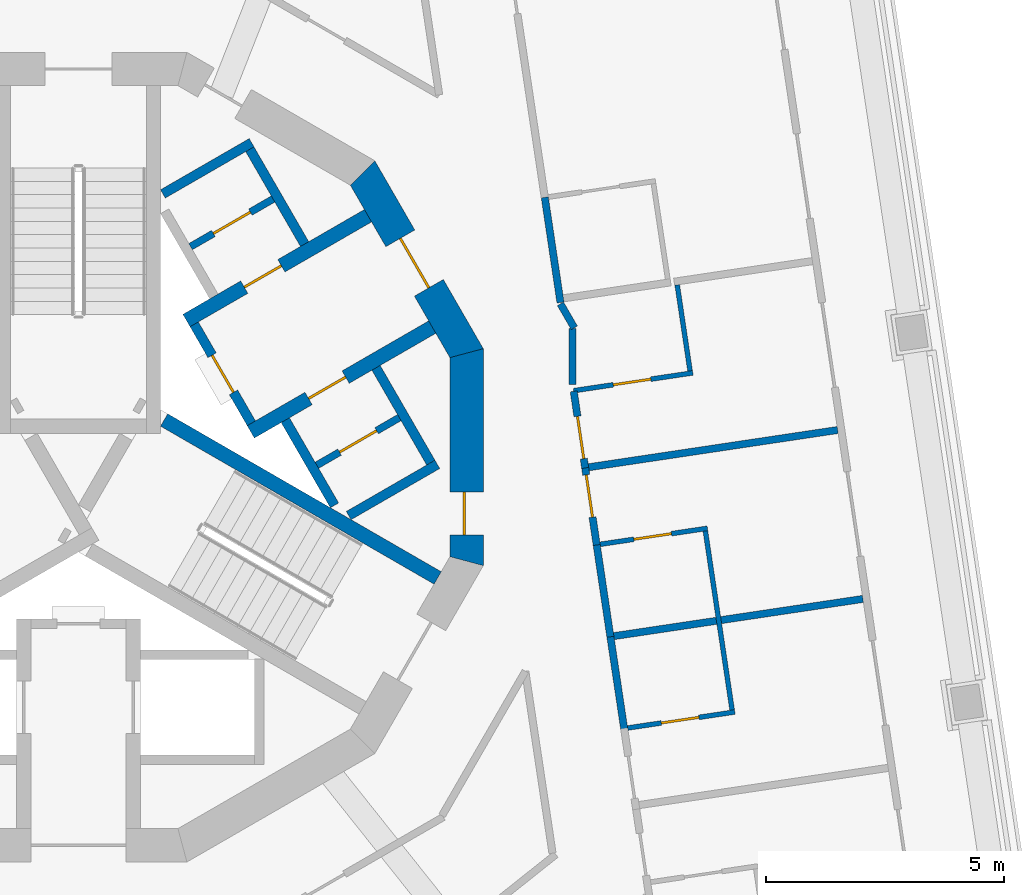
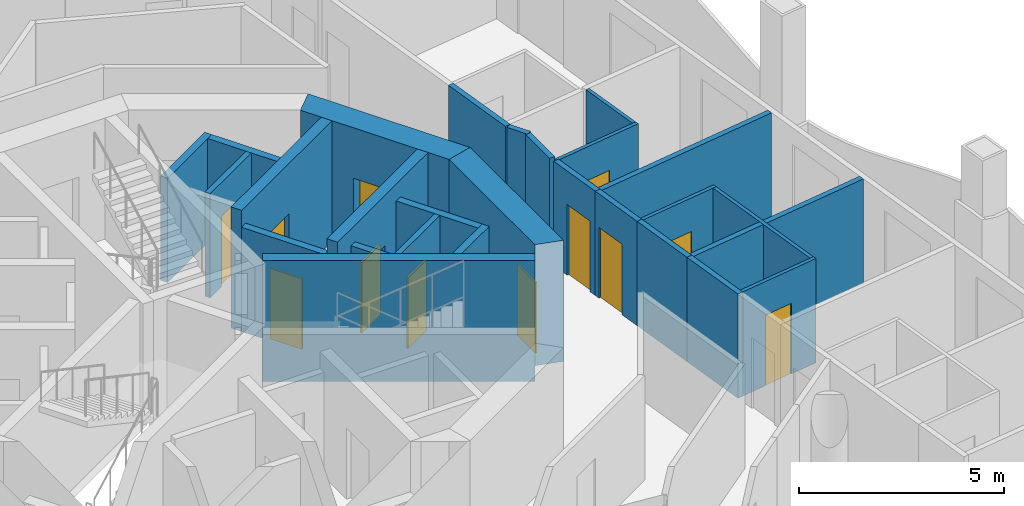
# One storey, part 6 of 16: 27 walls, 12 doors, 12 openings.
"""IFC4 building model written with IfcOpenShell, lengths in metres."""

from ifc_helpers import new_model, si_unit, direction, frame, frame_2d, origin, place, context, subcontext, project, spatial, polyline, rectangle, outline, extrude, material, layer, layer_set, type_object, element, fill, save


model = new_model("IFC4")

# Units and contexts
model_context = context("Model", 3, precision=1e-05, world=origin(), true_north=direction((0.0, 1.0)))
body_context = subcontext(model_context, "Body", "Model", "MODEL_VIEW")
ifc_project = project(units=[si_unit("LENGTHUNIT", "METRE"), si_unit("AREAUNIT", "SQUARE_METRE"), si_unit("VOLUMEUNIT", "CUBIC_METRE"), si_unit("PLANEANGLEUNIT", "RADIAN"), si_unit("MASSUNIT", "GRAM", prefix="KILO")], contexts=[model_context])

# Site, building, storey
site_placement = place(None, origin())
site = spatial("IfcSite", under=ifc_project, at=site_placement, CompositionType="ELEMENT")
building_placement = place(site_placement, origin())
building = spatial("IfcBuilding", under=site, at=building_placement, Name="Trine Commons Tower", CompositionType="ELEMENT")
storey_placement = place(building_placement, frame((0.0, 0.0, 226.800048828125)))
storey = spatial("IfcBuildingStorey", under=building, at=storey_placement, Name="L59", CompositionType="ELEMENT", Elevation=226.800048828125)

# Wall, opening, door
ifc_material_1 = material(Name="Plasterboard partition on steel studs", Category="steel")
ifc_layer_1 = layer(ifc_material_1, 0.14990234375)
ifc_layer_set_1 = layer_set([ifc_layer_1], Name="Plasterboard partition on steel studs")
wall_type_1 = type_object("IfcWallType", Name="Core room partition 150 mm, EI 60", PredefinedType="PARTITIONING", material=ifc_layer_set_1)
wall_1_placement = place(storey_placement, frame((82.35498046875, 66.919921875, 0.0), z_axis=(0.0, 0.0, 1.0), x_axis=(0.866010750942, 0.50002537861, 0.0)))
wall_1 = element("IfcWall", 1, at=wall_1_placement, inside=storey, type_object=wall_type_1, Name="Core room partition L59", PredefinedType="PARTITIONING", context=body_context, shape_type="SweptSolid", body=[
    extrude(rectangle(XDim=2.0, YDim=0.14990234375, at=frame_2d((1.0, 0.0))), origin(), (0.0, 0.0, 1.0), 3.099853515625),
])
opening_1_placement = place(wall_1_placement, frame((0.550537109375, 0.0, 0.0)))
opening_1 = element("IfcOpeningElement", 2, at=opening_1_placement, cuts=wall_1, Name="Opening K15.11", PredefinedType="OPENING", context=body_context, shape_type="SweptSolid", body=[
    extrude(rectangle(XDim=0.89990234375, YDim=2.10009765625, at=frame_2d((0.449951171875, 1.050048828125))), frame((0.0, 0.0849609375, 0.0), z_axis=(0.0, -1.0, 0.0), x_axis=(1.0, 0.0, 0.0)), (0.0, 0.0, 1.0), 0.169921875),
])
ifc_material_2 = material(Name="Steel door leaf, fire-rated", Category="steel")
door_type_1 = type_object("IfcDoorType", Name="Core room door, single leaf 900 x 2100, FD30S", OperationType="SINGLE_SWING_LEFT", PredefinedType="DOOR", material=ifc_material_2)
door_1_placement = place(opening_1_placement, origin())
door_1 = element("IfcDoor", 3, at=door_1_placement, inside=storey, type_object=door_type_1, Name="Door to Parcel store L59", OperationType="SINGLE_SWING_RIGHT", OverallHeight=2.10009765625, OverallWidth=0.89990234375, PredefinedType="DOOR", context=body_context, shape_type="SweptSolid", body=[
    extrude(rectangle(XDim=0.89990234375, YDim=2.10009765625, at=frame_2d((0.449951171875, 1.050048828125))), frame((0.0, 0.02490234375, 0.0), z_axis=(0.0, -1.0, 0.0), x_axis=(1.0, 0.0, 0.0)), (0.0, 0.0, 1.0), 0.050048828125),
])
fill(opening_1, door_1)

wall_2_placement = place(storey_placement, frame((85.006103515625, 62.330078125, 0.0), z_axis=(0.0, 0.0, 1.0), x_axis=(0.866010750942, 0.50002537861, 0.0)))
wall_2 = element("IfcWall", 4, at=wall_2_placement, inside=storey, type_object=wall_type_1, Name="Core room partition L59", PredefinedType="PARTITIONING", context=body_context, shape_type="SweptSolid", body=[
    extrude(rectangle(XDim=2.0, YDim=0.14990234375, at=frame_2d((1.0, 0.0))), origin(), (0.0, 0.0, 1.0), 3.099853515625),
])
opening_2_placement = place(wall_2_placement, frame((0.549560546875, 0.0, 0.0)))
opening_2 = element("IfcOpeningElement", 5, at=opening_2_placement, cuts=wall_2, Name="Opening K15.13", PredefinedType="OPENING", context=body_context, shape_type="SweptSolid", body=[
    extrude(rectangle(XDim=0.89990234375, YDim=2.10009765625, at=frame_2d((0.449951171875, 1.050048828125))), frame((0.0, 0.0849609375, 0.0), z_axis=(0.0, -1.0, 0.0), x_axis=(1.0, 0.0, 0.0)), (0.0, 0.0, 1.0), 0.169921875),
])
door_2_placement = place(opening_2_placement, frame((0.89990234375, 0.0, 0.0), z_axis=(0.0, 0.0, 1.0), x_axis=(-1.0, 0.0, 0.0)))
door_2 = element("IfcDoor", 6, at=door_2_placement, inside=storey, type_object=door_type_1, Name="Door to Print room L59", OperationType="SINGLE_SWING_LEFT", OverallHeight=2.10009765625, OverallWidth=0.89990234375, PredefinedType="DOOR", context=body_context, shape_type="SweptSolid", body=[
    extrude(rectangle(XDim=0.89990234375, YDim=2.10009765625, at=frame_2d((0.449951171875, 1.050048828125))), frame((0.0, 0.02490234375, 0.0), z_axis=(0.0, -1.0, 0.0), x_axis=(1.0, 0.0, 0.0)), (0.0, 0.0, 1.0), 0.050048828125),
])
fill(opening_2, door_2)

ifc_material_3 = material(Name="Fire-rated gypsum shaft wall system")
ifc_layer_2 = layer(ifc_material_3, 0.199951171875)
ifc_layer_set_2 = layer_set([ifc_layer_2], Name="Fire-rated gypsum shaft wall system")
wall_type_2 = type_object("IfcWallType", Name="Lobby end wall 200 mm, EI 120", PredefinedType="PARTITIONING", material=ifc_layer_set_2)
wall_3_placement = place(storey_placement, frame((83.631103515625, 63.2109375, 0.0), z_axis=(0.0, 0.0, 1.0), x_axis=(-0.50012165622, 0.865955154139, 0.0)))
wall_3 = element("IfcWall", 7, at=wall_3_placement, inside=storey, type_object=wall_type_2, Name="Lobby end wall L59", PredefinedType="PARTITIONING", context=body_context, shape_type="SweptSolid", body=[
    extrude(rectangle(XDim=2.39990234375, YDim=0.199951171875, at=frame_2d((1.199951171875, 0.0))), origin(), (0.0, 0.0, 1.0), 3.099853515625),
])
opening_3_placement = place(wall_3_placement, frame((0.749755859375, 0.0, 0.0)))
opening_3 = element("IfcOpeningElement", 8, at=opening_3_placement, cuts=wall_3, Name="Opening K15.05", PredefinedType="OPENING", context=body_context, shape_type="SweptSolid", body=[
    extrude(rectangle(XDim=0.89990234375, YDim=2.10009765625, at=frame_2d((0.449951171875, 1.050048828125))), frame((0.0, 0.10986328125, 0.0), z_axis=(0.0, -1.0, 0.0), x_axis=(1.0, 0.0, 0.0)), (0.0, 0.0, 1.0), 0.219970703125),
])
door_type_2 = type_object("IfcDoorType", Name="Riser access door, single leaf 900 x 2100, FD60", OperationType="SINGLE_SWING_LEFT", PredefinedType="DOOR", material=ifc_material_2)
door_3_placement = place(opening_3_placement, frame((0.89990234375, 0.0, 0.0), z_axis=(0.0, 0.0, 1.0), x_axis=(-1.0, 0.0, 0.0)))
door_3 = element("IfcDoor", 9, at=door_3_placement, inside=storey, type_object=door_type_2, Name="Riser door, Electrical riser L59", OperationType="SINGLE_SWING_LEFT", OverallHeight=2.10009765625, OverallWidth=0.89990234375, PredefinedType="DOOR", context=body_context, shape_type="SweptSolid", body=[
    extrude(rectangle(XDim=0.89990234375, YDim=2.10009765625, at=frame_2d((0.449951171875, 1.050048828125))), frame((0.0, 0.02490234375, 0.0), z_axis=(0.0, -1.0, 0.0), x_axis=(1.0, 0.0, 0.0)), (0.0, 0.0, 1.0), 0.050048828125),
])
fill(opening_3, door_3)

ifc_material_4 = material(Name="Concrete C60/75", Category="concrete")
ifc_layer_3 = layer(ifc_material_4, 0.300048828125)
ifc_layer_set_3 = layer_set([ifc_layer_3], Name="Concrete C60/75")
wall_type_3 = type_object("IfcWallType", Name="RC shear wall 300 mm, C60/75", PredefinedType="SHEAR", material=ifc_layer_set_3)
wall_4_placement = place(storey_placement, frame((82.26904296875, 65.368896484375, 0.0), z_axis=(0.0, 0.0, 1.0), x_axis=(0.866035918664, 0.499981787252, 0.0)))
wall_4 = element("IfcWall", 10, at=wall_4_placement, inside=storey, type_object=wall_type_3, Name="Core cross wall SWC-05 L59", PredefinedType="SHEAR", context=body_context, shape_type="SweptSolid", body=[
    extrude(rectangle(XDim=4.400634765625, YDim=0.300048828125, at=frame_2d((2.2001953125, 0.0))), origin(), (0.0, 0.0, 1.0), 3.599853515625),
])
opening_4_placement = place(wall_4_placement, frame((1.400390625, 0.0, 0.0)))
opening_4 = element("IfcOpeningElement", 11, at=opening_4_placement, cuts=wall_4, Name="Opening K15.10", PredefinedType="OPENING", context=body_context, shape_type="SweptSolid", body=[
    extrude(rectangle(XDim=0.89990234375, YDim=2.10009765625, at=frame_2d((0.449951171875, 1.050048828125))), frame((0.0, 0.159912109375, 0.0), z_axis=(0.0, -1.0, 0.0), x_axis=(1.0, 0.0, 0.0)), (0.0, 0.0, 1.0), 0.320068359375),
])
door_4_placement = place(opening_4_placement, origin())
door_4 = element("IfcDoor", 12, at=door_4_placement, inside=storey, type_object=door_type_1, Name="Door to Comms room L59", OperationType="SINGLE_SWING_LEFT", OverallHeight=2.10009765625, OverallWidth=0.89990234375, PredefinedType="DOOR", context=body_context, shape_type="SweptSolid", body=[
    extrude(rectangle(XDim=0.89990234375, YDim=2.10009765625, at=frame_2d((0.449951171875, 1.050048828125))), frame((0.0, 0.02490234375, 0.0), z_axis=(0.0, -1.0, 0.0), x_axis=(1.0, 0.0, 0.0)), (0.0, 0.0, 1.0), 0.050048828125),
])
fill(opening_4, door_4)

wall_5_placement = place(storey_placement, frame((83.618896484375, 63.031005859375, 0.0), z_axis=(0.0, 0.0, 1.0), x_axis=(0.866059941101, 0.499940174841, 0.0)))
wall_5 = element("IfcWall", 13, at=wall_5_placement, inside=storey, type_object=wall_type_3, Name="Core cross wall SWC-06 L59", PredefinedType="SHEAR", context=body_context, shape_type="SweptSolid", body=[
    extrude(rectangle(XDim=4.400390625, YDim=0.300048828125, at=frame_2d((2.2001953125, 0.0))), origin(), (0.0, 0.0, 1.0), 3.599853515625),
])
opening_5_placement = place(wall_5_placement, frame((1.400390625, 0.0, 0.0)))
opening_5 = element("IfcOpeningElement", 14, at=opening_5_placement, cuts=wall_5, Name="Opening K15.12", PredefinedType="OPENING", context=body_context, shape_type="SweptSolid", body=[
    extrude(rectangle(XDim=0.89990234375, YDim=2.10009765625, at=frame_2d((0.449951171875, 1.050048828125))), frame((0.0, 0.159912109375, 0.0), z_axis=(0.0, -1.0, 0.0), x_axis=(1.0, 0.0, 0.0)), (0.0, 0.0, 1.0), 0.320068359375),
])
door_5_placement = place(opening_5_placement, frame((0.89990234375, 0.0, 0.0), z_axis=(0.0, 0.0, 1.0), x_axis=(-1.0, 0.0, 0.0)))
door_5 = element("IfcDoor", 15, at=door_5_placement, inside=storey, type_object=door_type_1, Name="Door to Cleaner's store L59", OperationType="SINGLE_SWING_LEFT", OverallHeight=2.10009765625, OverallWidth=0.89990234375, PredefinedType="DOOR", context=body_context, shape_type="SweptSolid", body=[
    extrude(rectangle(XDim=0.89990234375, YDim=2.10009765625, at=frame_2d((0.449951171875, 1.050048828125))), frame((0.0, 0.02490234375, 0.0), z_axis=(0.0, -1.0, 0.0), x_axis=(1.0, 0.0, 0.0)), (0.0, 0.0, 1.0), 0.050048828125),
])
fill(opening_5, door_5)

# Wall
wall_6_placement = place(storey_placement, frame((81.800048828125, 63.280029296875, 0.0), z_axis=(0.0, 0.0, 1.0), x_axis=(0.866009627307, -0.500027324665, 0.0)))
element("IfcWall", 16, at=wall_6_placement, inside=storey, type_object=wall_type_3, Name="Core cross wall SWC-18 L59", PredefinedType="SHEAR", context=body_context, shape_type="SweptSolid", body=[
    extrude(rectangle(XDim=6.631591796875, YDim=0.300048828125, at=frame_2d((3.31591796875, 0.0))), origin(), (0.0, 0.0, 1.0), 3.599853515625),
])

# Wall, opening, door
ifc_layer_4 = layer(ifc_material_4, 0.699951171875)
ifc_layer_set_4 = layer_set([ifc_layer_4], Name="Concrete C60/75")
wall_type_4 = type_object("IfcWallType", Name="RC shear wall 700 mm, C60/75", PredefinedType="SHEAR", material=ifc_layer_set_4)
wall_7_placement = place(storey_placement, frame((88.150146484375, 60.222412109375, 0.0), z_axis=(0.0, 0.0, 1.0), x_axis=(0.0, 1.0, 0.0)))
wall_7 = element("IfcWall", 17, at=wall_7_placement, inside=storey, type_object=wall_type_4, Name="Core wall CWF-01 L59", PredefinedType="SHEAR", context=body_context, shape_type="SweptSolid", body=[
    extrude(outline(polyline([(0.0, -0.35009765625), (4.55517578125, -0.35009765625), (4.36767578125, 0.35009765625), (0.1875, 0.35009765625), (0.0, -0.35009765625)])), origin(), (0.0, 0.0, 1.0), 3.599853515625),
])
opening_6_placement = place(wall_7_placement, frame((0.6416015625, 0.0, 0.0)))
opening_6 = element("IfcOpeningElement", 18, at=opening_6_placement, cuts=wall_7, Name="Opening K15.17", PredefinedType="OPENING", context=body_context, shape_type="SweptSolid", body=[
    extrude(rectangle(XDim=0.89990234375, YDim=2.10009765625, at=frame_2d((0.449951171875, 1.050048828125))), frame((0.0, 0.35986328125, 0.0), z_axis=(0.0, -1.0, 0.0), x_axis=(1.0, 0.0, 0.0)), (0.0, 0.0, 1.0), 0.719970703125),
])
door_6_placement = place(opening_6_placement, origin())
door_6 = element("IfcDoor", 19, at=door_6_placement, inside=storey, type_object=door_type_1, Name="Door to Core WC L59", OperationType="SINGLE_SWING_LEFT", OverallHeight=2.10009765625, OverallWidth=0.89990234375, PredefinedType="DOOR", context=body_context, shape_type="SweptSolid", body=[
    extrude(rectangle(XDim=0.89990234375, YDim=2.10009765625, at=frame_2d((0.449951171875, 1.050048828125))), frame((0.0, 0.0751953125, 0.0), z_axis=(0.0, -1.0, 0.0), x_axis=(1.0, 0.0, 0.0)), (0.0, 0.0, 1.0), 0.050048828125),
])
fill(opening_6, door_6)

wall_8_placement = place(storey_placement, frame((88.197021484375, 64.6025390625, 0.0), z_axis=(0.0, 0.0, 1.0), x_axis=(-0.499983800959, 0.866034756103, 0.0)))
wall_8 = element("IfcWall", 20, at=wall_8_placement, inside=storey, type_object=wall_type_4, Name="Core wall CWF-02 L59", PredefinedType="SHEAR", context=body_context, shape_type="SweptSolid", body=[
    extrude(outline(polyline([(0.0, -0.35009765625), (4.55517578125, -0.35009765625), (4.36767578125, 0.35009765625), (0.1875, 0.35009765625), (0.0, -0.35009765625)])), origin(), (0.0, 0.0, 1.0), 3.599853515625),
])
opening_7_placement = place(wall_8_placement, frame((1.677490234375, 0.0, 0.0)))
opening_7 = element("IfcOpeningElement", 21, at=opening_7_placement, cuts=wall_8, Name="Opening K15.04", PredefinedType="OPENING", context=body_context, shape_type="SweptSolid", body=[
    extrude(rectangle(XDim=1.199951171875, YDim=2.10009765625, at=frame_2d((0.60009765625, 1.050048828125))), frame((0.0, 0.35986328125, 0.0), z_axis=(0.0, -1.0, 0.0), x_axis=(1.0, 0.0, 0.0)), (0.0, 0.0, 1.0), 0.719970703125),
])
ifc_material_5 = material(Name="Steel door leaves, fire-rated", Category="steel")
door_type_3 = type_object("IfcDoorType", Name="Lobby door, double leaf 1200 x 2100, FD60", OperationType="DOUBLE_DOOR_SINGLE_SWING", PredefinedType="DOOR", material=ifc_material_5)
door_7_placement = place(opening_7_placement, origin())
door_7 = element("IfcDoor", 22, at=door_7_placement, inside=storey, type_object=door_type_3, Name="Lobby door, Core lounge L59", OperationType="DOUBLE_DOOR_SINGLE_SWING", OverallHeight=2.10009765625, OverallWidth=1.199951171875, PredefinedType="DOOR", context=body_context, shape_type="SweptSolid", body=[
    extrude(rectangle(XDim=1.199951171875, YDim=2.10009765625, at=frame_2d((0.60009765625, 1.050048828125))), frame((0.0, 0.02490234375, 0.0), z_axis=(0.0, -1.0, 0.0), x_axis=(1.0, 0.0, 0.0)), (0.0, 0.0, 1.0), 0.050048828125),
])
fill(opening_7, door_7)

# Walls
ifc_layer_5 = layer(ifc_material_3, 0.199951171875)
ifc_layer_set_5 = layer_set([ifc_layer_5], Name="Fire-rated gypsum shaft wall system")
wall_type_5 = type_object("IfcWallType", Name="Shaft wall 200 mm, EI 120", PredefinedType="PARTITIONING", material=ifc_layer_set_5)
wall_9_placement = place(storey_placement, frame((81.77490234375, 68.028076171875, 0.0), z_axis=(0.0, 0.0, 1.0), x_axis=(0.866130725101, 0.499817533742, 0.0)))
element("IfcWall", 23, at=wall_9_placement, inside=storey, type_object=wall_type_5, Name="Shaft wall L59", PredefinedType="PARTITIONING", context=body_context, shape_type="SweptSolid", body=[
    extrude(rectangle(XDim=2.148681640625, YDim=0.199951171875, at=frame_2d((1.07421875, 0.0))), origin(), (0.0, 0.0, 1.0), 3.099853515625),
])
wall_10_placement = place(storey_placement, frame((84.343994140625, 63.27587890625, 0.0), z_axis=(0.0, 0.0, 1.0), x_axis=(0.500271688072, -0.86586848777, 0.0)))
element("IfcWall", 24, at=wall_10_placement, inside=storey, type_object=wall_type_5, Name="Shaft wall L59", PredefinedType="PARTITIONING", context=body_context, shape_type="SweptSolid", body=[
    extrude(rectangle(XDim=2.064697265625, YDim=0.199951171875, at=frame_2d((1.0322265625, 0.0))), origin(), (0.0, 0.0, 1.0), 3.099853515625),
])
wall_11_placement = place(storey_placement, frame((84.7490234375, 66.97412109375, 0.0), z_axis=(0.0, 0.0, 1.0), x_axis=(-0.500136062276, 0.86594683394, 0.0)))
element("IfcWall", 25, at=wall_11_placement, inside=storey, type_object=wall_type_5, Name="Shaft wall L59", PredefinedType="PARTITIONING", context=body_context, shape_type="SweptSolid", body=[
    extrude(rectangle(XDim=2.299072265625, YDim=0.199951171875, at=frame_2d((1.1494140625, 0.0))), origin(), (0.0, 0.0, 1.0), 3.099853515625),
])
wall_12_placement = place(storey_placement, frame((85.675048828125, 61.27392578125, 0.0), z_axis=(0.0, 0.0, 1.0), x_axis=(0.866102336459, 0.499866725018, 0.0)))
element("IfcWall", 26, at=wall_12_placement, inside=storey, type_object=wall_type_5, Name="Shaft wall L59", PredefinedType="PARTITIONING", context=body_context, shape_type="SweptSolid", body=[
    extrude(rectangle(XDim=2.1484375, YDim=0.199951171875, at=frame_2d((1.07421875, 0.0))), origin(), (0.0, 0.0, 1.0), 3.099853515625),
])
wall_13_placement = place(storey_placement, frame((86.2490234375, 64.3759765625, 0.0), z_axis=(0.0, 0.0, 1.0), x_axis=(0.500136062276, -0.86594683394, 0.0)))
element("IfcWall", 27, at=wall_13_placement, inside=storey, type_object=wall_type_5, Name="Shaft wall L59", PredefinedType="PARTITIONING", context=body_context, shape_type="SweptSolid", body=[
    extrude(rectangle(XDim=2.299072265625, YDim=0.199951171875, at=frame_2d((1.1494140625, 0.0))), origin(), (0.0, 0.0, 1.0), 3.099853515625),
])
ifc_material_6 = material(Name="Gypsum plasterboard on steel stud", Category="steel")
ifc_layer_6 = layer(ifc_material_6, 0.14990234375)
ifc_layer_set_6 = layer_set([ifc_layer_6], Name="Gypsum plasterboard on steel stud")
wall_type_6 = type_object("IfcWallType", Name="Unit and corridor wall 150 mm, EI 60", PredefinedType="PARTITIONING", material=ifc_layer_set_6)
wall_14_placement = place(storey_placement, frame((89.7919921875, 67.9541015625, 0.0), z_axis=(0.0, 0.0, 1.0), x_axis=(0.147832480438, -0.989012415356, 0.0)))
element("IfcWall", 28, at=wall_14_placement, inside=storey, type_object=wall_type_6, Name="Partition 096", PredefinedType="PARTITIONING", context=body_context, shape_type="SweptSolid", body=[
    extrude(rectangle(XDim=2.232666015625, YDim=0.14990234375, at=frame_2d((1.1162109375, 0.0))), origin(), (0.0, 0.0, 1.0), 3.099853515625),
])
wall_15_placement = place(storey_placement, frame((90.12109375, 65.718994140625, 0.0), z_axis=(0.0, 0.0, 1.0), x_axis=(0.500738673164, -0.865598510395, 0.0)))
element("IfcWall", 29, at=wall_15_placement, inside=storey, type_object=wall_type_6, Name="Partition 098", PredefinedType="PARTITIONING", context=body_context, shape_type="SweptSolid", body=[
    extrude(rectangle(XDim=0.58203125, YDim=0.14990234375, at=frame_2d((0.291015625, 0.0))), origin(), (0.0, 0.0, 1.0), 3.099853515625),
])
wall_16_placement = place(storey_placement, frame((90.375, 64.02294921875, 0.0), z_axis=(0.0, 0.0, 1.0), x_axis=(0.0, 1.0, 0.0)))
element("IfcWall", 30, at=wall_16_placement, inside=storey, type_object=wall_type_6, Name="Partition 100", PredefinedType="PARTITIONING", context=body_context, shape_type="SweptSolid", body=[
    extrude(rectangle(XDim=1.18212890625, YDim=0.14990234375, at=frame_2d((0.591064453125, 0.0))), origin(), (0.0, 0.0, 1.0), 3.099853515625),
])

# Wall, opening, door
wall_17_placement = place(storey_placement, frame((90.39990234375, 63.882080078125, 0.0), z_axis=(0.0, 0.0, 1.0), x_axis=(0.147511205878, -0.989060384476, 0.0)))
wall_17 = element("IfcWall", 31, at=wall_17_placement, inside=storey, type_object=wall_type_6, Name="Partition 102", PredefinedType="PARTITIONING", context=body_context, shape_type="SweptSolid", body=[
    extrude(rectangle(XDim=1.626953125, YDim=0.14990234375, at=frame_2d((0.8134765625, 0.0))), origin(), (0.0, 0.0, 1.0), 3.099853515625),
])
opening_8_placement = place(wall_17_placement, frame((0.530517578125, 0.0, 0.0)))
opening_8 = element("IfcOpeningElement", 32, at=opening_8_placement, cuts=wall_17, Name="Opening D-6C15", PredefinedType="OPENING", context=body_context, shape_type="SweptSolid", body=[
    extrude(rectangle(XDim=0.89990234375, YDim=2.10009765625, at=frame_2d((0.449951171875, 1.050048828125))), frame((0.0, 0.0849609375, 0.0), z_axis=(0.0, -1.0, 0.0), x_axis=(1.0, 0.0, 0.0)), (0.0, 0.0, 1.0), 0.169921875),
])
ifc_material_7 = material(Name="Timber fire door set", Category="wood")
door_type_4 = type_object("IfcDoorType", Name="Bedroom door 900 x 2100, FD30S", OperationType="NOTDEFINED", PredefinedType="DOOR", material=ifc_material_7)
door_8_placement = place(opening_8_placement, origin())
door_8 = element("IfcDoor", 33, at=door_8_placement, inside=storey, type_object=door_type_4, Name="Door D-6C15", OperationType="SINGLE_SWING_RIGHT", OverallHeight=2.10009765625, OverallWidth=0.89990234375, PredefinedType="DOOR", context=body_context, shape_type="SweptSolid", body=[
    extrude(rectangle(XDim=0.89990234375, YDim=2.10009765625, at=frame_2d((0.449951171875, 1.050048828125))), frame((0.0, 0.02490234375, 0.0), z_axis=(0.0, -1.0, 0.0), x_axis=(1.0, 0.0, 0.0)), (0.0, 0.0, 1.0), 0.050048828125),
])
fill(opening_8, door_8)

wall_18_placement = place(storey_placement, frame((90.6279296875, 62.355224609375, 0.0), z_axis=(0.0, 0.0, 1.0), x_axis=(0.147840420569, -0.989011228473, 0.0)))
wall_18 = element("IfcWall", 34, at=wall_18_placement, inside=storey, type_object=wall_type_6, Name="Partition 104", PredefinedType="PARTITIONING", context=body_context, shape_type="SweptSolid", body=[
    extrude(rectangle(XDim=1.718994140625, YDim=0.14990234375, at=frame_2d((0.859375, 0.0))), origin(), (0.0, 0.0, 1.0), 3.099853515625),
])
opening_9_placement = place(wall_18_placement, frame((0.22900390625, 0.0, 0.0)))
opening_9 = element("IfcOpeningElement", 35, at=opening_9_placement, cuts=wall_18, Name="Opening D-6C16", PredefinedType="OPENING", context=body_context, shape_type="SweptSolid", body=[
    extrude(rectangle(XDim=0.89990234375, YDim=2.10009765625, at=frame_2d((0.449951171875, 1.050048828125))), frame((0.0, 0.0849609375, 0.0), z_axis=(0.0, -1.0, 0.0), x_axis=(1.0, 0.0, 0.0)), (0.0, 0.0, 1.0), 0.169921875),
])
door_9_placement = place(opening_9_placement, origin())
door_9 = element("IfcDoor", 36, at=door_9_placement, inside=storey, type_object=door_type_4, Name="Door D-6C16", OperationType="SINGLE_SWING_LEFT", OverallHeight=2.10009765625, OverallWidth=0.89990234375, PredefinedType="DOOR", context=body_context, shape_type="SweptSolid", body=[
    extrude(rectangle(XDim=0.89990234375, YDim=2.10009765625, at=frame_2d((0.449951171875, 1.050048828125))), frame((0.0, 0.02490234375, 0.0), z_axis=(0.0, -1.0, 0.0), x_axis=(1.0, 0.0, 0.0)), (0.0, 0.0, 1.0), 0.050048828125),
])
fill(opening_9, door_9)

# Walls
wall_19_placement = place(storey_placement, frame((90.714111328125, 62.2880859375, 0.0), z_axis=(0.0, 0.0, 1.0), x_axis=(0.988994889639, 0.147949681543, 0.0)))
element("IfcWall", 37, at=wall_19_placement, inside=storey, type_object=wall_type_6, Name="Partition 105", PredefinedType="PARTITIONING", context=body_context, shape_type="SweptSolid", body=[
    extrude(rectangle(XDim=5.285400390625, YDim=0.14990234375, at=frame_2d((2.642578125, 0.0))), origin(), (0.0, 0.0, 1.0), 3.099853515625),
])
wall_20_placement = place(storey_placement, frame((90.881103515625, 60.6630859375, 0.0), z_axis=(0.0, 0.0, 1.0), x_axis=(0.147547543847, -0.989054964249, 0.0)))
element("IfcWall", 38, at=wall_20_placement, inside=storey, type_object=wall_type_6, Name="Partition 106", PredefinedType="PARTITIONING", context=body_context, shape_type="SweptSolid", body=[
    extrude(rectangle(XDim=1.95751953125, YDim=0.14990234375, at=frame_2d((0.978759765625, 0.0))), origin(), (0.0, 0.0, 1.0), 3.099853515625),
])
wall_21_placement = place(storey_placement, frame((91.1689453125, 58.735107421875, 0.0), z_axis=(0.0, 0.0, 1.0), x_axis=(0.148037335564, -0.988981772976, 0.0)))
element("IfcWall", 39, at=wall_21_placement, inside=storey, type_object=wall_type_6, Name="Partition 108", PredefinedType="PARTITIONING", context=body_context, shape_type="SweptSolid", body=[
    extrude(rectangle(XDim=2.0087890625, YDim=0.14990234375, at=frame_2d((1.00439453125, 0.0))), origin(), (0.0, 0.0, 1.0), 3.099853515625),
])
wall_22_placement = place(storey_placement, frame((91.244140625, 58.7421875, 0.0), z_axis=(0.0, 0.0, 1.0), x_axis=(0.98902190879, 0.147768954566, 0.0)))
element("IfcWall", 40, at=wall_22_placement, inside=storey, type_object=wall_type_6, Name="Partition 109", PredefinedType="PARTITIONING", context=body_context, shape_type="SweptSolid", body=[
    extrude(rectangle(XDim=5.285400390625, YDim=0.14990234375, at=frame_2d((2.642578125, 0.0))), origin(), (0.0, 0.0, 1.0), 3.099853515625),
])

# Wall, opening, door
ifc_layer_7 = layer(ifc_material_6, 0.10009765625)
ifc_layer_set_7 = layer_set([ifc_layer_7], Name="Gypsum plasterboard on steel stud")
wall_type_7 = type_object("IfcWallType", Name="Unit partition 100 mm, no rating", PredefinedType="PARTITIONING", material=ifc_layer_set_7)
wall_23_placement = place(storey_placement, frame((90.39794921875, 63.89501953125, 0.0), z_axis=(0.0, 0.0, 1.0), x_axis=(0.988991508707, 0.147972280192, 0.0)))
wall_23 = element("IfcWall", 41, at=wall_23_placement, inside=storey, type_object=wall_type_7, Name="Partition 101", PredefinedType="PARTITIONING", context=body_context, shape_type="SweptSolid", body=[
    extrude(rectangle(XDim=2.529296875, YDim=0.10009765625, at=frame_2d((1.2646484375, 0.0))), origin(), (0.0, 0.0, 1.0), 3.099853515625),
])
opening_10_placement = place(wall_23_placement, frame((0.839599609375, 0.0, 0.0)))
opening_10 = element("IfcOpeningElement", 42, at=opening_10_placement, cuts=wall_23, Name="Opening D-6C38", PredefinedType="OPENING", context=body_context, shape_type="SweptSolid", body=[
    extrude(rectangle(XDim=0.800048828125, YDim=2.10009765625, at=frame_2d((0.39990234375, 1.050048828125))), frame((0.0, 0.06005859375, 0.0), z_axis=(0.0, -1.0, 0.0), x_axis=(1.0, 0.0, 0.0)), (0.0, 0.0, 1.0), 0.1201171875),
])
ifc_material_8 = material(Name="Painted timber", Category="wood")
door_type_5 = type_object("IfcDoorType", Name="Internal door 800 x 2100, NOT RATED", OperationType="NOTDEFINED", PredefinedType="DOOR", material=ifc_material_8)
door_10_placement = place(opening_10_placement, frame((0.800048828125, 0.0, 0.0), z_axis=(0.0, 0.0, 1.0), x_axis=(-1.0, 0.0, 0.0)))
door_10 = element("IfcDoor", 43, at=door_10_placement, inside=storey, type_object=door_type_5, Name="Door D-6C38", OperationType="SINGLE_SWING_RIGHT", OverallHeight=2.10009765625, OverallWidth=0.800048828125, PredefinedType="DOOR", context=body_context, shape_type="SweptSolid", body=[
    extrude(rectangle(XDim=0.800048828125, YDim=2.10009765625, at=frame_2d((0.39990234375, 1.050048828125))), frame((0.0, 0.02490234375, 0.0), z_axis=(0.0, -1.0, 0.0), x_axis=(1.0, 0.0, 0.0)), (0.0, 0.0, 1.0), 0.050048828125),
])
fill(opening_10, door_10)

wall_24_placement = place(storey_placement, frame((90.956298828125, 60.670166015625, 0.0), z_axis=(0.0, 0.0, 1.0), x_axis=(0.989023546454, 0.147757993216, 0.0)))
wall_24 = element("IfcWall", 44, at=wall_24_placement, inside=storey, type_object=wall_type_7, Name="Partition 107", PredefinedType="PARTITIONING", context=body_context, shape_type="SweptSolid", body=[
    extrude(rectangle(XDim=2.275146484375, YDim=0.10009765625, at=frame_2d((1.1376953125, 0.0))), origin(), (0.0, 0.0, 1.0), 3.099853515625),
])
opening_11_placement = place(wall_24_placement, frame((0.712646484375, 0.0, 0.0)))
opening_11 = element("IfcOpeningElement", 45, at=opening_11_placement, cuts=wall_24, Name="Opening D-6C39", PredefinedType="OPENING", context=body_context, shape_type="SweptSolid", body=[
    extrude(rectangle(XDim=0.800048828125, YDim=2.10009765625, at=frame_2d((0.39990234375, 1.050048828125))), frame((0.0, 0.06005859375, 0.0), z_axis=(0.0, -1.0, 0.0), x_axis=(1.0, 0.0, 0.0)), (0.0, 0.0, 1.0), 0.1201171875),
])
door_11_placement = place(opening_11_placement, origin())
door_11 = element("IfcDoor", 46, at=door_11_placement, inside=storey, type_object=door_type_5, Name="Door D-6C39", OperationType="SINGLE_SWING_LEFT", OverallHeight=2.10009765625, OverallWidth=0.800048828125, PredefinedType="DOOR", context=body_context, shape_type="SweptSolid", body=[
    extrude(rectangle(XDim=0.800048828125, YDim=2.10009765625, at=frame_2d((0.39990234375, 1.050048828125))), frame((0.0, 0.02490234375, 0.0), z_axis=(0.0, -1.0, 0.0), x_axis=(1.0, 0.0, 0.0)), (0.0, 0.0, 1.0), 0.050048828125),
])
fill(opening_11, door_11)

wall_25_placement = place(storey_placement, frame((91.5322265625, 56.81298828125, 0.0), z_axis=(0.0, 0.0, 1.0), x_axis=(0.989007860101, 0.147862952286, 0.0)))
wall_25 = element("IfcWall", 47, at=wall_25_placement, inside=storey, type_object=wall_type_7, Name="Partition 110", PredefinedType="PARTITIONING", context=body_context, shape_type="SweptSolid", body=[
    extrude(rectangle(XDim=2.275146484375, YDim=0.10009765625, at=frame_2d((1.1376953125, 0.0))), origin(), (0.0, 0.0, 1.0), 3.099853515625),
])
opening_12_placement = place(wall_25_placement, frame((0.712646484375, 0.0, 0.0)))
opening_12 = element("IfcOpeningElement", 48, at=opening_12_placement, cuts=wall_25, Name="Opening D-6C40", PredefinedType="OPENING", context=body_context, shape_type="SweptSolid", body=[
    extrude(rectangle(XDim=0.800048828125, YDim=2.10009765625, at=frame_2d((0.39990234375, 1.050048828125))), frame((0.0, 0.06005859375, 0.0), z_axis=(0.0, -1.0, 0.0), x_axis=(1.0, 0.0, 0.0)), (0.0, 0.0, 1.0), 0.1201171875),
])
door_12_placement = place(opening_12_placement, frame((0.800048828125, 0.0, 0.0), z_axis=(0.0, 0.0, 1.0), x_axis=(-1.0, 0.0, 0.0)))
door_12 = element("IfcDoor", 49, at=door_12_placement, inside=storey, type_object=door_type_5, Name="Door D-6C40", OperationType="SINGLE_SWING_RIGHT", OverallHeight=2.10009765625, OverallWidth=0.800048828125, PredefinedType="DOOR", context=body_context, shape_type="SweptSolid", body=[
    extrude(rectangle(XDim=0.800048828125, YDim=2.10009765625, at=frame_2d((0.39990234375, 1.050048828125))), frame((0.0, 0.02490234375, 0.0), z_axis=(0.0, -1.0, 0.0), x_axis=(1.0, 0.0, 0.0)), (0.0, 0.0, 1.0), 0.050048828125),
])
fill(opening_12, door_12)

# Walls
wall_26_placement = place(storey_placement, frame((92.572998046875, 66.11572265625, 0.0), z_axis=(0.0, 0.0, 1.0), x_axis=(0.147751431332, -0.989024526763, 0.0)))
element("IfcWall", 50, at=wall_26_placement, inside=storey, type_object=wall_type_7, Name="Partition 120", PredefinedType="PARTITIONING", context=body_context, shape_type="SweptSolid", body=[
    extrude(rectangle(XDim=1.82421875, YDim=0.10009765625, at=frame_2d((0.912109375, 0.0))), origin(), (0.0, 0.0, 1.0), 3.099853515625),
])
wall_27_placement = place(storey_placement, frame((93.164306640625, 60.949462890625, 0.0), z_axis=(0.0, 0.0, 1.0), x_axis=(0.147715184464, -0.989029941043, 0.0)))
element("IfcWall", 51, at=wall_27_placement, inside=storey, type_object=wall_type_7, Name="Partition 122", PredefinedType="PARTITIONING", context=body_context, shape_type="SweptSolid", body=[
    extrude(rectangle(XDim=3.7998046875, YDim=0.10009765625, at=frame_2d((1.89990234375, 0.0))), origin(), (0.0, 0.0, 1.0), 3.099853515625),
])

save(model, "model.ifc")
